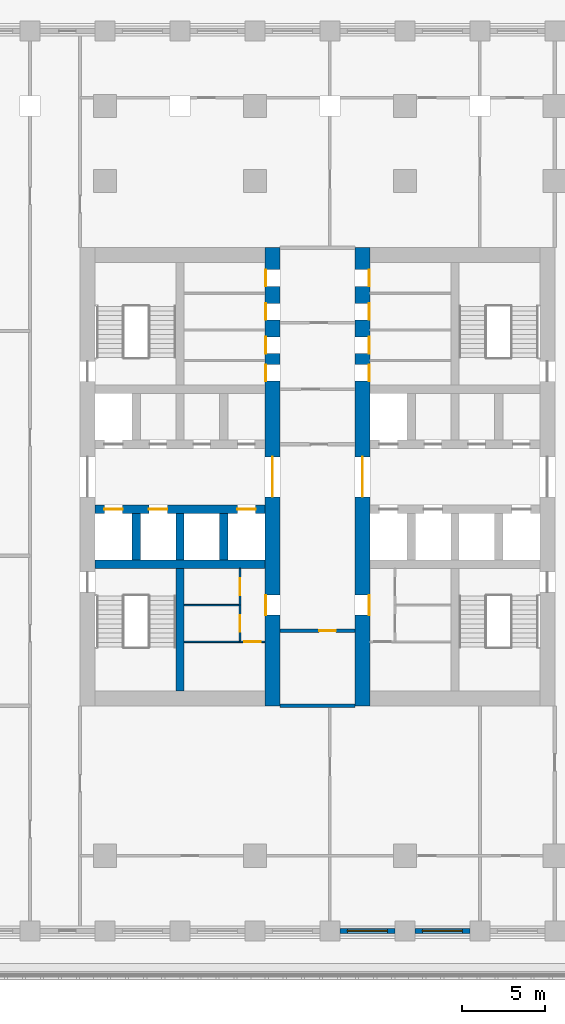
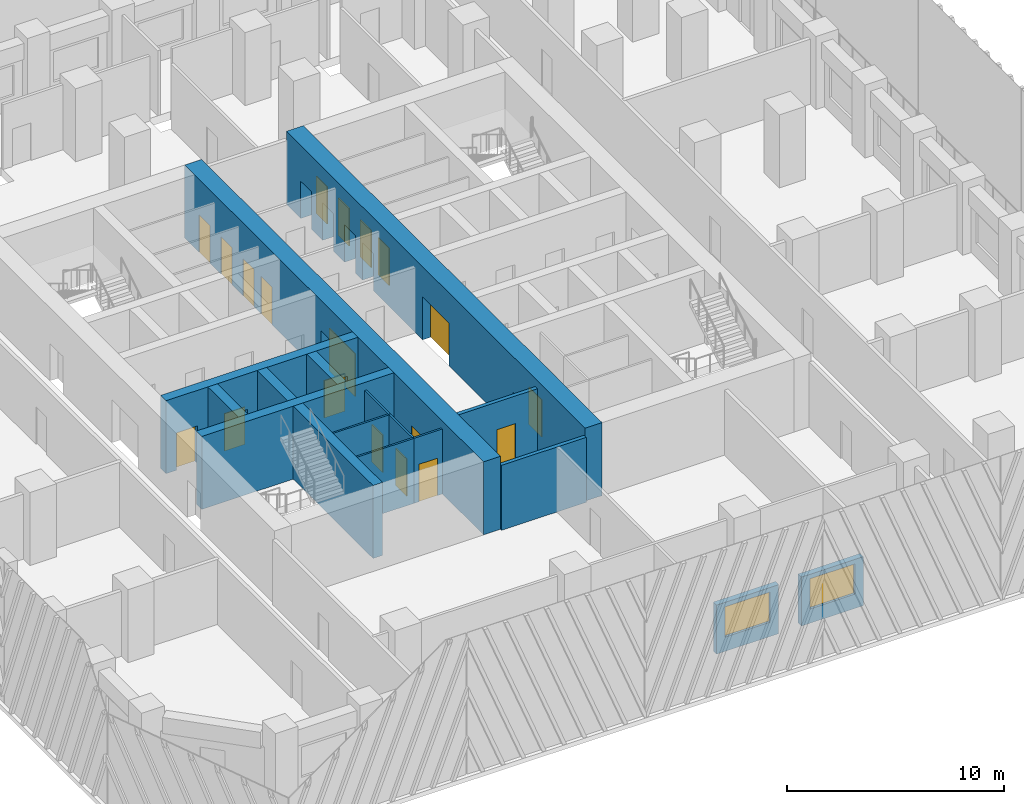
# One storey, part 4 of 19: 19 doors, 17 walls, 2 windows, 21 openings.
"""IFC4 building model written with IfcOpenShell, lengths in metres."""

from ifc_helpers import new_model, si_unit, direction, frame, frame_2d, origin, place, context, subcontext, project, spatial, rectangle, extrude, material, layer, layer_set, type_object, element, fill, save


model = new_model("IFC4")

# Units and contexts
model_context = context("Model", 3, precision=1e-05, world=origin(), true_north=direction((0.0, 1.0)))
body_context = subcontext(model_context, "Body", "Model", "MODEL_VIEW")
ifc_project = project(units=[si_unit("LENGTHUNIT", "METRE"), si_unit("AREAUNIT", "SQUARE_METRE"), si_unit("VOLUMEUNIT", "CUBIC_METRE"), si_unit("PLANEANGLEUNIT", "RADIAN"), si_unit("MASSUNIT", "GRAM", prefix="KILO")], contexts=[model_context])

# Site, building, storey
site_placement = place(None, origin())
site = spatial("IfcSite", under=ifc_project, at=site_placement, CompositionType="ELEMENT")
building_placement = place(site_placement, origin())
building = spatial("IfcBuilding", under=site, at=building_placement, Name="Corbel Stack Research Tower", CompositionType="ELEMENT")
storey_placement = place(building_placement, frame((0.0, 0.0, 82.0)))
storey = spatial("IfcBuildingStorey", under=building, at=storey_placement, Name="L18", CompositionType="ELEMENT", Elevation=82.0)

# Wall
ifc_material_1 = material(Name="Concrete C70/85", Category="concrete")
ifc_layer_1 = layer(ifc_material_1, 0.5)
ifc_layer_set_1 = layer_set([ifc_layer_1], Name="Concrete C70/85")
wall_type_1 = type_object("IfcWallType", Name="CW-500-70", PredefinedType="SHEAR", material=ifc_layer_set_1)
wall_1_placement = place(storey_placement, frame((-9.60009765625, -0.5, 0.0), z_axis=(0.0, 0.0, 1.0), x_axis=(1.0, 0.0, 0.0)))
element("IfcWall", 1, at=wall_1_placement, inside=storey, type_object=wall_type_1, Name="West core wall, south row back L18", PredefinedType="SHEAR", context=body_context, shape_type="SweptSolid", body=[
    extrude(rectangle(XDim=10.2001953125, YDim=0.5, at=frame_2d((5.10009765625, 0.0))), origin(), (0.0, 0.0, 1.0), 4.10009765625),
])

# Wall, openings, doors
wall_2_placement = place(storey_placement, frame((-9.60009765625, 2.800048828125, 0.0), z_axis=(0.0, 0.0, 1.0), x_axis=(1.0, 0.0, 0.0)))
wall_2 = element("IfcWall", 2, at=wall_2_placement, inside=storey, type_object=wall_type_1, Name="West core wall, lobby south L18", PredefinedType="SHEAR", context=body_context, shape_type="SweptSolid", body=[
    extrude(rectangle(XDim=10.2001953125, YDim=0.5, at=frame_2d((5.10009765625, 0.0))), origin(), (0.0, 0.0, 1.0), 4.10009765625),
])
opening_1_placement = place(wall_2_placement, frame((0.5625, 0.0, 0.0)))
opening_1 = element("IfcOpeningElement", 3, at=opening_1_placement, cuts=wall_2, Name="Opening LD-FS1", PredefinedType="OPENING", context=body_context, shape_type="SweptSolid", body=[
    extrude(rectangle(XDim=1.10009765625, YDim=2.10009765625, at=frame_2d((0.550048828125, 1.050048828125))), frame((0.0, 0.260009765625, 0.0), z_axis=(0.0, -1.0, 0.0), x_axis=(1.0, 0.0, 0.0)), (0.0, 0.0, 1.0), 0.52001953125),
])
opening_2_placement = place(wall_2_placement, frame((3.237548828125, 0.0, 0.0)))
opening_2 = element("IfcOpeningElement", 4, at=opening_2_placement, cuts=wall_2, Name="Opening LD-GL1", PredefinedType="OPENING", context=body_context, shape_type="SweptSolid", body=[
    extrude(rectangle(XDim=1.10009765625, YDim=2.10009765625, at=frame_2d((0.550048828125, 1.050048828125))), frame((0.0, 0.260009765625, 0.0), z_axis=(0.0, -1.0, 0.0), x_axis=(1.0, 0.0, 0.0)), (0.0, 0.0, 1.0), 0.52001953125),
])
opening_3_placement = place(wall_2_placement, frame((8.53759765625, 0.0, 0.0)))
opening_3 = element("IfcOpeningElement", 5, at=opening_3_placement, cuts=wall_2, Name="Opening LD-LR1", PredefinedType="OPENING", context=body_context, shape_type="SweptSolid", body=[
    extrude(rectangle(XDim=1.10009765625, YDim=2.10009765625, at=frame_2d((0.550048828125, 1.050048828125))), frame((0.0, 0.260009765625, 0.0), z_axis=(0.0, -1.0, 0.0), x_axis=(1.0, 0.0, 0.0)), (0.0, 0.0, 1.0), 0.52001953125),
])
ifc_material_2 = material(Name="Stainless steel landing door", Category="steel")
door_type_1 = type_object("IfcDoorType", Name="Lift landing door 1100 x 2100", OperationType="DOUBLE_DOOR_SLIDING", PredefinedType="DOOR", material=ifc_material_2)
door_1_placement = place(opening_1_placement, origin())
door_1 = element("IfcDoor", 6, at=door_1_placement, inside=storey, type_object=door_type_1, Name="Landing door FS1", OperationType="DOUBLE_DOOR_SLIDING", OverallHeight=2.10009765625, OverallWidth=1.10009765625, PredefinedType="DOOR", context=body_context, shape_type="SweptSolid", body=[
    extrude(rectangle(XDim=1.10009765625, YDim=2.10009765625, at=frame_2d((0.550048828125, 1.050048828125))), frame((0.0, 0.02490234375, 0.0), z_axis=(0.0, -1.0, 0.0), x_axis=(1.0, 0.0, 0.0)), (0.0, 0.0, 1.0), 0.050048828125),
])
fill(opening_1, door_1)
door_2_placement = place(opening_2_placement, origin())
door_2 = element("IfcDoor", 7, at=door_2_placement, inside=storey, type_object=door_type_1, Name="Landing door GL1", OperationType="DOUBLE_DOOR_SLIDING", OverallHeight=2.10009765625, OverallWidth=1.10009765625, PredefinedType="DOOR", context=body_context, shape_type="SweptSolid", body=[
    extrude(rectangle(XDim=1.10009765625, YDim=2.10009765625, at=frame_2d((0.550048828125, 1.050048828125))), frame((0.0, 0.02490234375, 0.0), z_axis=(0.0, -1.0, 0.0), x_axis=(1.0, 0.0, 0.0)), (0.0, 0.0, 1.0), 0.050048828125),
])
fill(opening_2, door_2)
door_3_placement = place(opening_3_placement, origin())
door_3 = element("IfcDoor", 8, at=door_3_placement, inside=storey, type_object=door_type_1, Name="Landing door LR1", OperationType="DOUBLE_DOOR_SLIDING", OverallHeight=2.10009765625, OverallWidth=1.10009765625, PredefinedType="DOOR", context=body_context, shape_type="SweptSolid", body=[
    extrude(rectangle(XDim=1.10009765625, YDim=2.10009765625, at=frame_2d((0.550048828125, 1.050048828125))), frame((0.0, 0.02490234375, 0.0), z_axis=(0.0, -1.0, 0.0), x_axis=(1.0, 0.0, 0.0)), (0.0, 0.0, 1.0), 0.050048828125),
])
fill(opening_3, door_3)

# Walls
for number, where, z_axis, x_axis, name in (
    (9, (-7.125, -0.25, 0.0), (0.0, 0.0, 1.0), (0.0, 1.0, 0.0), "West core wall, south shaft 1 L18"),
    (10, (-4.5, -0.25, 0.0), (0.0, 0.0, 1.0), (0.0, 1.0, 0.0), "West core wall, south shaft 2 L18"),
    (11, (-1.875, -0.25, 0.0), (0.0, 0.0, 1.0), (0.0, 1.0, 0.0), "West core wall, south shaft 3 L18"),
):
    element("IfcWall", number, at=place(storey_placement, frame(where, z_axis=z_axis, x_axis=x_axis)), inside=storey, type_object=wall_type_1, Name=name, PredefinedType="SHEAR", context=body_context, shape_type="SweptSolid", body=[
        extrude(rectangle(XDim=2.800048828125, YDim=0.5, at=frame_2d((1.39990234375, 0.0))), origin(), (0.0, 0.0, 1.0), 4.10009765625),
    ])
wall_3_placement = place(storey_placement, frame((-4.5, -8.10009765625, 0.0), z_axis=(0.0, 0.0, 1.0), x_axis=(0.0, 1.0, 0.0)))
element("IfcWall", 12, at=wall_3_placement, inside=storey, type_object=wall_type_1, Name="West core wall, south stair and WC L18", PredefinedType="SHEAR", context=body_context, shape_type="SweptSolid", body=[
    extrude(rectangle(XDim=7.35009765625, YDim=0.5, at=frame_2d((3.675048828125, 0.0))), origin(), (0.0, 0.0, 1.0), 4.10009765625),
])

# Wall, openings, doors
ifc_material_3 = material(Name="Concrete C70/85", Category="concrete")
ifc_layer_2 = layer(ifc_material_3, 0.89990234375)
ifc_layer_set_2 = layer_set([ifc_layer_2], Name="Concrete C70/85")
wall_type_2 = type_object("IfcWallType", Name="CW-900-70", PredefinedType="SHEAR", material=ifc_layer_set_2)
wall_4_placement = place(storey_placement, frame((1.050048828125, -9.0, 0.0), z_axis=(0.0, 0.0, 1.0), x_axis=(0.0, 1.0, 0.0)))
wall_4 = element("IfcWall", 13, at=wall_4_placement, inside=storey, type_object=wall_type_2, Name="West core wall, east face L18", PredefinedType="SHEAR", context=body_context, shape_type="SweptSolid", body=[
    extrude(rectangle(XDim=27.5, YDim=0.89990234375, at=frame_2d((13.75, 0.0))), origin(), (0.0, 0.0, 1.0), 4.10009765625),
])
opening_4_placement = place(wall_4_placement, frame((12.550048828125, 0.0, 0.0)))
opening_4 = element("IfcOpeningElement", 14, at=opening_4_placement, cuts=wall_4, Name="Opening CD-W-E", PredefinedType="OPENING", context=body_context, shape_type="SweptSolid", body=[
    extrude(rectangle(XDim=2.39990234375, YDim=2.39990234375, at=frame_2d((1.199951171875, 1.199951171875))), frame((0.0, 0.4599609375, 0.0), z_axis=(0.0, -1.0, 0.0), x_axis=(1.0, 0.0, 0.0)), (0.0, 0.0, 1.0), 0.919921875),
])
opening_5_placement = place(wall_4_placement, frame((5.445068359375, 0.0, 0.0)))
opening_5 = element("IfcOpeningElement", 15, at=opening_5_placement, cuts=wall_4, Name="Opening CR-W66-W1-1200", PredefinedType="OPENING", context=body_context, shape_type="SweptSolid", body=[
    extrude(rectangle(XDim=1.199951171875, YDim=2.10009765625, at=frame_2d((0.60009765625, 1.050048828125))), frame((0.0, 0.4599609375, 0.0), z_axis=(0.0, -1.0, 0.0), x_axis=(1.0, 0.0, 0.0)), (0.0, 0.0, 1.0), 0.919921875),
])
opening_6_placement = place(wall_4_placement, frame((19.485107421875, 0.0, 0.0)))
opening_6 = element("IfcOpeningElement", 16, at=opening_6_placement, cuts=wall_4, Name="Opening CR-W66-R1-1000", PredefinedType="OPENING", context=body_context, shape_type="SweptSolid", body=[
    extrude(rectangle(XDim=1.0, YDim=2.10009765625, at=frame_2d((0.5, 1.050048828125))), frame((0.0, 0.4599609375, 0.0), z_axis=(0.0, -1.0, 0.0), x_axis=(1.0, 0.0, 0.0)), (0.0, 0.0, 1.0), 0.919921875),
])
opening_7_placement = place(wall_4_placement, frame((21.138916015625, 0.0, 0.0)))
opening_7 = element("IfcOpeningElement", 17, at=opening_7_placement, cuts=wall_4, Name="Opening CR-W66-R2-1000", PredefinedType="OPENING", context=body_context, shape_type="SweptSolid", body=[
    extrude(rectangle(XDim=1.0, YDim=2.10009765625, at=frame_2d((0.5, 1.050048828125))), frame((0.0, 0.4599609375, 0.0), z_axis=(0.0, -1.0, 0.0), x_axis=(1.0, 0.0, 0.0)), (0.0, 0.0, 1.0), 0.919921875),
])
opening_8_placement = place(wall_4_placement, frame((23.159912109375, 0.0, 0.0)))
opening_8 = element("IfcOpeningElement", 18, at=opening_8_placement, cuts=wall_4, Name="Opening CR-W66-R3-1000", PredefinedType="OPENING", context=body_context, shape_type="SweptSolid", body=[
    extrude(rectangle(XDim=1.0, YDim=2.10009765625, at=frame_2d((0.5, 1.050048828125))), frame((0.0, 0.4599609375, 0.0), z_axis=(0.0, -1.0, 0.0), x_axis=(1.0, 0.0, 0.0)), (0.0, 0.0, 1.0), 0.919921875),
])
opening_9_placement = place(wall_4_placement, frame((25.18115234375, 0.0, 0.0)))
opening_9 = element("IfcOpeningElement", 19, at=opening_9_placement, cuts=wall_4, Name="Opening CR-W66-R4-1000", PredefinedType="OPENING", context=body_context, shape_type="SweptSolid", body=[
    extrude(rectangle(XDim=1.0, YDim=2.10009765625, at=frame_2d((0.5, 1.050048828125))), frame((0.0, 0.4599609375, 0.0), z_axis=(0.0, -1.0, 0.0), x_axis=(1.0, 0.0, 0.0)), (0.0, 0.0, 1.0), 0.919921875),
])
ifc_material_4 = material(Name="Painted steel fire door", Category="steel")
door_type_2 = type_object("IfcDoorType", Name="Lobby door pair 2400 x 2400 FD30S", OperationType="DOUBLE_DOOR_DOUBLE_SWING", PredefinedType="DOOR", material=ifc_material_4)
door_4_placement = place(opening_4_placement, origin())
door_4 = element("IfcDoor", 20, at=door_4_placement, inside=storey, type_object=door_type_2, Name="Lift lobby door W core E", OperationType="DOUBLE_DOOR_DOUBLE_SWING", OverallHeight=2.39990234375, OverallWidth=2.39990234375, PredefinedType="DOOR", context=body_context, shape_type="SweptSolid", body=[
    extrude(rectangle(XDim=2.39990234375, YDim=2.39990234375, at=frame_2d((1.199951171875, 1.199951171875))), frame((0.0, 0.02490234375, 0.0), z_axis=(0.0, -1.0, 0.0), x_axis=(1.0, 0.0, 0.0)), (0.0, 0.0, 1.0), 0.050048828125),
])
fill(opening_4, door_4)
ifc_material_5 = material(Name="Painted steel door", Category="steel")
door_type_3 = type_object("IfcDoorType", Name="Riser door 1000 x 2100 FD60 left hand", OperationType="SINGLE_SWING_LEFT", PredefinedType="DOOR", material=ifc_material_5)
door_5_placement = place(opening_6_placement, origin())
door_5 = element("IfcDoor", 21, at=door_5_placement, inside=storey, type_object=door_type_3, Name="Electrical riser door W core", OperationType="SINGLE_SWING_LEFT", OverallHeight=2.10009765625, OverallWidth=1.0, PredefinedType="DOOR", context=body_context, shape_type="SweptSolid", body=[
    extrude(rectangle(XDim=1.0, YDim=2.10009765625, at=frame_2d((0.5, 1.050048828125))), frame((0.0, 0.4248046875, 0.0), z_axis=(0.0, -1.0, 0.0), x_axis=(1.0, 0.0, 0.0)), (0.0, 0.0, 1.0), 0.050048828125),
])
fill(opening_6, door_5)
ifc_material_6 = material(Name="Painted steel door", Category="steel")
door_type_4 = type_object("IfcDoorType", Name="Riser door 1000 x 2100 FD60 right hand", OperationType="SINGLE_SWING_RIGHT", PredefinedType="DOOR", material=ifc_material_6)
door_6_placement = place(opening_7_placement, origin())
door_6 = element("IfcDoor", 22, at=door_6_placement, inside=storey, type_object=door_type_4, Name="Telecom room door W core", OperationType="SINGLE_SWING_RIGHT", OverallHeight=2.10009765625, OverallWidth=1.0, PredefinedType="DOOR", context=body_context, shape_type="SweptSolid", body=[
    extrude(rectangle(XDim=1.0, YDim=2.10009765625, at=frame_2d((0.5, 1.050048828125))), frame((0.0, 0.4248046875, 0.0), z_axis=(0.0, -1.0, 0.0), x_axis=(1.0, 0.0, 0.0)), (0.0, 0.0, 1.0), 0.050048828125),
])
fill(opening_7, door_6)
ifc_material_7 = material(Name="Painted steel door", Category="steel")
door_type_5 = type_object("IfcDoorType", Name="Service door 1000 x 2100 FD30 left hand", OperationType="SINGLE_SWING_LEFT", PredefinedType="DOOR", material=ifc_material_7)
door_7_placement = place(opening_8_placement, origin())
door_7 = element("IfcDoor", 23, at=door_7_placement, inside=storey, type_object=door_type_5, Name="Pantry door W core", OperationType="SINGLE_SWING_LEFT", OverallHeight=2.10009765625, OverallWidth=1.0, PredefinedType="DOOR", context=body_context, shape_type="SweptSolid", body=[
    extrude(rectangle(XDim=1.0, YDim=2.10009765625, at=frame_2d((0.5, 1.050048828125))), frame((0.0, 0.4248046875, 0.0), z_axis=(0.0, -1.0, 0.0), x_axis=(1.0, 0.0, 0.0)), (0.0, 0.0, 1.0), 0.050048828125),
])
fill(opening_8, door_7)
ifc_material_8 = material(Name="Painted steel door", Category="steel")
door_type_6 = type_object("IfcDoorType", Name="Service door 1000 x 2100 FD30 right hand", OperationType="SINGLE_SWING_RIGHT", PredefinedType="DOOR", material=ifc_material_8)
door_8_placement = place(opening_9_placement, origin())
door_8 = element("IfcDoor", 24, at=door_8_placement, inside=storey, type_object=door_type_6, Name="Cleaner's store door W core", OperationType="SINGLE_SWING_RIGHT", OverallHeight=2.10009765625, OverallWidth=1.0, PredefinedType="DOOR", context=body_context, shape_type="SweptSolid", body=[
    extrude(rectangle(XDim=1.0, YDim=2.10009765625, at=frame_2d((0.5, 1.050048828125))), frame((0.0, 0.4248046875, 0.0), z_axis=(0.0, -1.0, 0.0), x_axis=(1.0, 0.0, 0.0)), (0.0, 0.0, 1.0), 0.050048828125),
])
fill(opening_9, door_8)
ifc_material_9 = material(Name="Painted timber door", Category="wood")
door_type_7 = type_object("IfcDoorType", Name="WC door 1200 x 2100 left hand", OperationType="SINGLE_SWING_LEFT", PredefinedType="DOOR", material=ifc_material_9)
door_9_placement = place(opening_5_placement, origin())
door_9 = element("IfcDoor", 25, at=door_9_placement, inside=storey, type_object=door_type_7, Name="WC lobby door W core", OperationType="SINGLE_SWING_LEFT", OverallHeight=2.10009765625, OverallWidth=1.199951171875, PredefinedType="DOOR", context=body_context, shape_type="SweptSolid", body=[
    extrude(rectangle(XDim=1.199951171875, YDim=2.10009765625, at=frame_2d((0.60009765625, 1.050048828125))), frame((0.0, 0.4248046875, 0.0), z_axis=(0.0, -1.0, 0.0), x_axis=(1.0, 0.0, 0.0)), (0.0, 0.0, 1.0), 0.050048828125),
])
fill(opening_5, door_9)

wall_5_placement = place(storey_placement, frame((6.449951171875, -9.0, 0.0), z_axis=(0.0, 0.0, 1.0), x_axis=(0.0, 1.0, 0.0)))
wall_5 = element("IfcWall", 26, at=wall_5_placement, inside=storey, type_object=wall_type_2, Name="East core wall, west face L18", PredefinedType="SHEAR", context=body_context, shape_type="SweptSolid", body=[
    extrude(rectangle(XDim=27.5, YDim=0.89990234375, at=frame_2d((13.75, 0.0))), origin(), (0.0, 0.0, 1.0), 4.10009765625),
])
opening_10_placement = place(wall_5_placement, frame((12.550048828125, 0.0, 0.0)))
opening_10 = element("IfcOpeningElement", 27, at=opening_10_placement, cuts=wall_5, Name="Opening CD-E-W", PredefinedType="OPENING", context=body_context, shape_type="SweptSolid", body=[
    extrude(rectangle(XDim=2.39990234375, YDim=2.39990234375, at=frame_2d((1.199951171875, 1.199951171875))), frame((0.0, 0.4599609375, 0.0), z_axis=(0.0, -1.0, 0.0), x_axis=(1.0, 0.0, 0.0)), (0.0, 0.0, 1.0), 0.919921875),
])
opening_11_placement = place(wall_5_placement, frame((5.445068359375, 0.0, 0.0)))
opening_11 = element("IfcOpeningElement", 28, at=opening_11_placement, cuts=wall_5, Name="Opening CR-E66-W1-1200", PredefinedType="OPENING", context=body_context, shape_type="SweptSolid", body=[
    extrude(rectangle(XDim=1.199951171875, YDim=2.10009765625, at=frame_2d((0.60009765625, 1.050048828125))), frame((0.0, 0.4599609375, 0.0), z_axis=(0.0, -1.0, 0.0), x_axis=(1.0, 0.0, 0.0)), (0.0, 0.0, 1.0), 0.919921875),
])
opening_12_placement = place(wall_5_placement, frame((19.485107421875, 0.0, 0.0)))
opening_12 = element("IfcOpeningElement", 29, at=opening_12_placement, cuts=wall_5, Name="Opening CR-E66-R1-1000", PredefinedType="OPENING", context=body_context, shape_type="SweptSolid", body=[
    extrude(rectangle(XDim=1.0, YDim=2.10009765625, at=frame_2d((0.5, 1.050048828125))), frame((0.0, 0.4599609375, 0.0), z_axis=(0.0, -1.0, 0.0), x_axis=(1.0, 0.0, 0.0)), (0.0, 0.0, 1.0), 0.919921875),
])
opening_13_placement = place(wall_5_placement, frame((21.138916015625, 0.0, 0.0)))
opening_13 = element("IfcOpeningElement", 30, at=opening_13_placement, cuts=wall_5, Name="Opening CR-E66-R2-1000", PredefinedType="OPENING", context=body_context, shape_type="SweptSolid", body=[
    extrude(rectangle(XDim=1.0, YDim=2.10009765625, at=frame_2d((0.5, 1.050048828125))), frame((0.0, 0.4599609375, 0.0), z_axis=(0.0, -1.0, 0.0), x_axis=(1.0, 0.0, 0.0)), (0.0, 0.0, 1.0), 0.919921875),
])
opening_14_placement = place(wall_5_placement, frame((23.159912109375, 0.0, 0.0)))
opening_14 = element("IfcOpeningElement", 31, at=opening_14_placement, cuts=wall_5, Name="Opening CR-E66-R3-1000", PredefinedType="OPENING", context=body_context, shape_type="SweptSolid", body=[
    extrude(rectangle(XDim=1.0, YDim=2.10009765625, at=frame_2d((0.5, 1.050048828125))), frame((0.0, 0.4599609375, 0.0), z_axis=(0.0, -1.0, 0.0), x_axis=(1.0, 0.0, 0.0)), (0.0, 0.0, 1.0), 0.919921875),
])
opening_15_placement = place(wall_5_placement, frame((25.18115234375, 0.0, 0.0)))
opening_15 = element("IfcOpeningElement", 32, at=opening_15_placement, cuts=wall_5, Name="Opening CR-E66-R4-1000", PredefinedType="OPENING", context=body_context, shape_type="SweptSolid", body=[
    extrude(rectangle(XDim=1.0, YDim=2.10009765625, at=frame_2d((0.5, 1.050048828125))), frame((0.0, 0.4599609375, 0.0), z_axis=(0.0, -1.0, 0.0), x_axis=(1.0, 0.0, 0.0)), (0.0, 0.0, 1.0), 0.919921875),
])
door_10_placement = place(opening_10_placement, origin())
door_10 = element("IfcDoor", 33, at=door_10_placement, inside=storey, type_object=door_type_2, Name="Lift lobby door E core W", OperationType="DOUBLE_DOOR_DOUBLE_SWING", OverallHeight=2.39990234375, OverallWidth=2.39990234375, PredefinedType="DOOR", context=body_context, shape_type="SweptSolid", body=[
    extrude(rectangle(XDim=2.39990234375, YDim=2.39990234375, at=frame_2d((1.199951171875, 1.199951171875))), frame((0.0, 0.02490234375, 0.0), z_axis=(0.0, -1.0, 0.0), x_axis=(1.0, 0.0, 0.0)), (0.0, 0.0, 1.0), 0.050048828125),
])
fill(opening_10, door_10)
door_11_placement = place(opening_13_placement, origin())
door_11 = element("IfcDoor", 34, at=door_11_placement, inside=storey, type_object=door_type_3, Name="Telecom room door E core", OperationType="SINGLE_SWING_LEFT", OverallHeight=2.10009765625, OverallWidth=1.0, PredefinedType="DOOR", context=body_context, shape_type="SweptSolid", body=[
    extrude(rectangle(XDim=1.0, YDim=2.10009765625, at=frame_2d((0.5, 1.050048828125))), frame((0.0, -0.375, 0.0), z_axis=(0.0, -1.0, 0.0), x_axis=(1.0, 0.0, 0.0)), (0.0, 0.0, 1.0), 0.050048828125),
])
fill(opening_13, door_11)
door_12_placement = place(opening_12_placement, origin())
door_12 = element("IfcDoor", 35, at=door_12_placement, inside=storey, type_object=door_type_4, Name="Electrical riser door E core", OperationType="SINGLE_SWING_RIGHT", OverallHeight=2.10009765625, OverallWidth=1.0, PredefinedType="DOOR", context=body_context, shape_type="SweptSolid", body=[
    extrude(rectangle(XDim=1.0, YDim=2.10009765625, at=frame_2d((0.5, 1.050048828125))), frame((0.0, -0.375, 0.0), z_axis=(0.0, -1.0, 0.0), x_axis=(1.0, 0.0, 0.0)), (0.0, 0.0, 1.0), 0.050048828125),
])
fill(opening_12, door_12)
door_13_placement = place(opening_15_placement, origin())
door_13 = element("IfcDoor", 36, at=door_13_placement, inside=storey, type_object=door_type_5, Name="Cleaner's store door E core", OperationType="SINGLE_SWING_LEFT", OverallHeight=2.10009765625, OverallWidth=1.0, PredefinedType="DOOR", context=body_context, shape_type="SweptSolid", body=[
    extrude(rectangle(XDim=1.0, YDim=2.10009765625, at=frame_2d((0.5, 1.050048828125))), frame((0.0, -0.375, 0.0), z_axis=(0.0, -1.0, 0.0), x_axis=(1.0, 0.0, 0.0)), (0.0, 0.0, 1.0), 0.050048828125),
])
fill(opening_15, door_13)
door_14_placement = place(opening_14_placement, origin())
door_14 = element("IfcDoor", 37, at=door_14_placement, inside=storey, type_object=door_type_6, Name="Pantry door E core", OperationType="SINGLE_SWING_RIGHT", OverallHeight=2.10009765625, OverallWidth=1.0, PredefinedType="DOOR", context=body_context, shape_type="SweptSolid", body=[
    extrude(rectangle(XDim=1.0, YDim=2.10009765625, at=frame_2d((0.5, 1.050048828125))), frame((0.0, -0.375, 0.0), z_axis=(0.0, -1.0, 0.0), x_axis=(1.0, 0.0, 0.0)), (0.0, 0.0, 1.0), 0.050048828125),
])
fill(opening_14, door_14)
ifc_material_10 = material(Name="Painted timber door", Category="wood")
door_type_8 = type_object("IfcDoorType", Name="WC door 1200 x 2100 right hand", OperationType="SINGLE_SWING_RIGHT", PredefinedType="DOOR", material=ifc_material_10)
door_15_placement = place(opening_11_placement, origin())
door_15 = element("IfcDoor", 38, at=door_15_placement, inside=storey, type_object=door_type_8, Name="WC lobby door E core", OperationType="SINGLE_SWING_RIGHT", OverallHeight=2.10009765625, OverallWidth=1.199951171875, PredefinedType="DOOR", context=body_context, shape_type="SweptSolid", body=[
    extrude(rectangle(XDim=1.199951171875, YDim=2.10009765625, at=frame_2d((0.60009765625, 1.050048828125))), frame((0.0, -0.375, 0.0), z_axis=(0.0, -1.0, 0.0), x_axis=(1.0, 0.0, 0.0)), (0.0, 0.0, 1.0), 0.050048828125),
])
fill(opening_11, door_15)

# Wall, opening, door
ifc_material_11 = material(Name="Gypsum board")
ifc_layer_3 = layer(ifc_material_11, 0.10009765625)
ifc_layer_set_3 = layer_set([ifc_layer_3], Name="Gypsum board")
wall_type_3 = type_object("IfcWallType", Name="Core partition 100", PredefinedType="PARTITIONING", material=ifc_layer_set_3)
wall_6_placement = place(storey_placement, frame((-0.89990234375, -5.159912109375, 0.0), z_axis=(0.0, 0.0, 1.0), x_axis=(1.0, 0.0, 0.0)))
wall_6 = element("IfcWall", 39, at=wall_6_placement, inside=storey, type_object=wall_type_3, Name="Core partition W", PredefinedType="PARTITIONING", context=body_context, shape_type="SweptSolid", body=[
    extrude(rectangle(XDim=1.5, YDim=0.10009765625, at=frame_2d((0.75, 0.0))), origin(), (0.0, 0.0, 1.0), 3.64990234375),
])
opening_16_placement = place(wall_6_placement, frame((0.25, 0.0, 0.0)))
opening_16 = element("IfcOpeningElement", 40, at=opening_16_placement, cuts=wall_6, Name="Opening CR-W66-W2-1000", PredefinedType="OPENING", context=body_context, shape_type="SweptSolid", body=[
    extrude(rectangle(XDim=1.0, YDim=2.10009765625, at=frame_2d((0.5, 1.050048828125))), frame((0.0, 0.06005859375, 0.0), z_axis=(0.0, -1.0, 0.0), x_axis=(1.0, 0.0, 0.0)), (0.0, 0.0, 1.0), 0.1201171875),
])
ifc_material_12 = material(Name="Painted timber door", Category="wood")
door_type_9 = type_object("IfcDoorType", Name="WC door 1000 x 2100 right hand", OperationType="SINGLE_SWING_RIGHT", PredefinedType="DOOR", material=ifc_material_12)
door_16_placement = place(opening_16_placement, origin())
door_16 = element("IfcDoor", 41, at=door_16_placement, inside=storey, type_object=door_type_9, Name="Accessible WC door W core", OperationType="SINGLE_SWING_RIGHT", OverallHeight=2.10009765625, OverallWidth=1.0, PredefinedType="DOOR", context=body_context, shape_type="SweptSolid", body=[
    extrude(rectangle(XDim=1.0, YDim=2.10009765625, at=frame_2d((0.5, 1.050048828125))), frame((0.0, 0.02490234375, 0.0), z_axis=(0.0, -1.0, 0.0), x_axis=(1.0, 0.0, 0.0)), (0.0, 0.0, 1.0), 0.050048828125),
])
fill(opening_16, door_16)

wall_7_placement = place(storey_placement, frame((-0.89990234375, -5.159912109375, 0.0), z_axis=(0.0, 0.0, 1.0), x_axis=(0.0, 1.0, 0.0)))
wall_7 = element("IfcWall", 42, at=wall_7_placement, inside=storey, type_object=wall_type_3, Name="Core partition W", PredefinedType="PARTITIONING", context=body_context, shape_type="SweptSolid", body=[
    extrude(rectangle(XDim=2.204833984375, YDim=0.10009765625, at=frame_2d((1.1025390625, 0.0))), origin(), (0.0, 0.0, 1.0), 3.64990234375),
])
opening_17_placement = place(wall_7_placement, frame((0.6025390625, 0.0, 0.0)))
opening_17 = element("IfcOpeningElement", 43, at=opening_17_placement, cuts=wall_7, Name="Opening CR-W66-W3-1000", PredefinedType="OPENING", context=body_context, shape_type="SweptSolid", body=[
    extrude(rectangle(XDim=1.0, YDim=2.10009765625, at=frame_2d((0.5, 1.050048828125))), frame((0.0, 0.06005859375, 0.0), z_axis=(0.0, -1.0, 0.0), x_axis=(1.0, 0.0, 0.0)), (0.0, 0.0, 1.0), 0.1201171875),
])
ifc_material_13 = material(Name="Painted timber door", Category="wood")
door_type_10 = type_object("IfcDoorType", Name="WC door 1000 x 2100 left hand", OperationType="SINGLE_SWING_LEFT", PredefinedType="DOOR", material=ifc_material_13)
door_17_placement = place(opening_17_placement, origin())
door_17 = element("IfcDoor", 44, at=door_17_placement, inside=storey, type_object=door_type_10, Name="Men's WC door W core", OperationType="SINGLE_SWING_LEFT", OverallHeight=2.10009765625, OverallWidth=1.0, PredefinedType="DOOR", context=body_context, shape_type="SweptSolid", body=[
    extrude(rectangle(XDim=1.0, YDim=2.10009765625, at=frame_2d((0.5, 1.050048828125))), frame((0.0, 0.02490234375, 0.0), z_axis=(0.0, -1.0, 0.0), x_axis=(1.0, 0.0, 0.0)), (0.0, 0.0, 1.0), 0.050048828125),
])
fill(opening_17, door_17)

wall_8_placement = place(storey_placement, frame((-0.89990234375, -2.955078125, 0.0), z_axis=(0.0, 0.0, 1.0), x_axis=(0.0, 1.0, 0.0)))
wall_8 = element("IfcWall", 45, at=wall_8_placement, inside=storey, type_object=wall_type_3, Name="Core partition W", PredefinedType="PARTITIONING", context=body_context, shape_type="SweptSolid", body=[
    extrude(rectangle(XDim=2.205078125, YDim=0.10009765625, at=frame_2d((1.1025390625, 0.0))), origin(), (0.0, 0.0, 1.0), 3.64990234375),
])
opening_18_placement = place(wall_8_placement, frame((0.6025390625, 0.0, 0.0)))
opening_18 = element("IfcOpeningElement", 46, at=opening_18_placement, cuts=wall_8, Name="Opening CR-W66-W4-1000", PredefinedType="OPENING", context=body_context, shape_type="SweptSolid", body=[
    extrude(rectangle(XDim=1.0, YDim=2.10009765625, at=frame_2d((0.5, 1.050048828125))), frame((0.0, 0.06005859375, 0.0), z_axis=(0.0, -1.0, 0.0), x_axis=(1.0, 0.0, 0.0)), (0.0, 0.0, 1.0), 0.1201171875),
])
door_18_placement = place(opening_18_placement, origin())
door_18 = element("IfcDoor", 47, at=door_18_placement, inside=storey, type_object=door_type_9, Name="Women's WC door W core", OperationType="SINGLE_SWING_RIGHT", OverallHeight=2.10009765625, OverallWidth=1.0, PredefinedType="DOOR", context=body_context, shape_type="SweptSolid", body=[
    extrude(rectangle(XDim=1.0, YDim=2.10009765625, at=frame_2d((0.5, 1.050048828125))), frame((0.0, 0.02490234375, 0.0), z_axis=(0.0, -1.0, 0.0), x_axis=(1.0, 0.0, 0.0)), (0.0, 0.0, 1.0), 0.050048828125),
])
fill(opening_18, door_18)

# Walls
for number, where, z_axis, x_axis, name in (
    (48, (-4.25, -5.159912109375, 0.0), (0.0, 0.0, 1.0), (1.0, 0.0, 0.0), "Core partition W"),
    (49, (-4.25, -2.955078125, 0.0), (0.0, 0.0, 1.0), (1.0, 0.0, 0.0), "Core partition W"),
):
    element("IfcWall", number, at=place(storey_placement, frame(where, z_axis=z_axis, x_axis=x_axis)), inside=storey, type_object=wall_type_3, Name=name, PredefinedType="PARTITIONING", context=body_context, shape_type="SweptSolid", body=[
        extrude(rectangle(XDim=3.35009765625, YDim=0.10009765625, at=frame_2d((1.675048828125, 0.0))), origin(), (0.0, 0.0, 1.0), 3.64990234375),
    ])
ifc_material_14 = material(Name="Fire-rated gypsum board partition on steel studs", Category="steel")
ifc_layer_4 = layer(ifc_material_14, 0.199951171875)
ifc_layer_set_4 = layer_set([ifc_layer_4], Name="Fire-rated gypsum board partition on steel studs")
wall_type_4 = type_object("IfcWallType", Name="Fire-rated partition 200 EI 60", PredefinedType="PARTITIONING", material=ifc_layer_set_4)
wall_9_placement = place(storey_placement, frame((1.5, -9.0, 0.0), z_axis=(0.0, 0.0, 1.0), x_axis=(1.0, 0.0, 0.0)))
element("IfcWall", 50, at=wall_9_placement, inside=storey, type_object=wall_type_4, Name="Partition L18-023", PredefinedType="PARTITIONING", context=body_context, shape_type="SweptSolid", body=[
    extrude(rectangle(XDim=4.5, YDim=0.199951171875, at=frame_2d((2.25, 0.0))), origin(), (0.0, 0.0, 1.0), 3.64990234375),
])

# Wall, opening, door
wall_10_placement = place(storey_placement, frame((6.0, -4.5, 0.0), z_axis=(0.0, 0.0, 1.0), x_axis=(-1.0, 0.0, 0.0)))
wall_10 = element("IfcWall", 51, at=wall_10_placement, inside=storey, type_object=wall_type_4, Name="Partition L18-027", PredefinedType="PARTITIONING", context=body_context, shape_type="SweptSolid", body=[
    extrude(rectangle(XDim=4.5, YDim=0.199951171875, at=frame_2d((2.25, 0.0))), origin(), (0.0, 0.0, 1.0), 3.64990234375),
])
opening_19_placement = place(wall_10_placement, frame((1.14990234375, 0.0, 0.0)))
opening_19 = element("IfcOpeningElement", 52, at=opening_19_placement, cuts=wall_10, Name="Opening B3V0H-010", PredefinedType="OPENING", context=body_context, shape_type="SweptSolid", body=[
    extrude(rectangle(XDim=1.0, YDim=2.10009765625, at=frame_2d((0.5, 1.050048828125))), frame((0.0, 0.10986328125, 0.0), z_axis=(0.0, -1.0, 0.0), x_axis=(1.0, 0.0, 0.0)), (0.0, 0.0, 1.0), 0.219970703125),
])
ifc_material_15 = material(Name="Painted steel fire door", Category="steel")
door_type_11 = type_object("IfcDoorType", Name="Fire door FD30S 1000 x 2100", OperationType="NOTDEFINED", PredefinedType="DOOR", material=ifc_material_15)
door_19_placement = place(opening_19_placement, origin())
door_19 = element("IfcDoor", 53, at=door_19_placement, inside=storey, type_object=door_type_11, Name="Door B3V0H-010", OperationType="SINGLE_SWING_LEFT", OverallHeight=2.10009765625, OverallWidth=1.0, PredefinedType="DOOR", context=body_context, shape_type="SweptSolid", body=[
    extrude(rectangle(XDim=1.0, YDim=2.10009765625, at=frame_2d((0.5, 1.050048828125))), frame((0.0, 0.02490234375, 0.0), z_axis=(0.0, -1.0, 0.0), x_axis=(1.0, 0.0, 0.0)), (0.0, 0.0, 1.0), 0.050048828125),
])
fill(opening_19, door_19)

# Wall, opening, window
ifc_material_16 = material(Name="Concrete C45/55", Category="concrete")
ifc_layer_5 = layer(ifc_material_16, 0.300048828125)
ifc_layer_set_5 = layer_set([ifc_layer_5], Name="Concrete C45/55")
wall_type_5 = type_object("IfcWallType", Name="Terracotta-faced concrete wall 300", PredefinedType="SOLIDWALL", material=ifc_layer_set_5)
wall_11_placement = place(storey_placement, frame((8.39990234375, -22.5, 0.0), z_axis=(0.0, 0.0, 1.0), x_axis=(-1.0, 0.0, 0.0)))
wall_11 = element("IfcWall", 54, at=wall_11_placement, inside=storey, type_object=wall_type_5, Name="Facade wall L18 S06", PredefinedType="SOLIDWALL", context=body_context, shape_type="SweptSolid", body=[
    extrude(rectangle(XDim=3.2998046875, YDim=0.300048828125, at=frame_2d((1.64990234375, 0.0))), origin(), (0.0, 0.0, 1.0), 2.75),
])
opening_20_placement = place(wall_11_placement, frame((0.449951171875, 0.0, 0.800048828125)))
opening_20 = element("IfcOpeningElement", 55, at=opening_20_placement, cuts=wall_11, Name="Opening W1", PredefinedType="OPENING", context=body_context, shape_type="SweptSolid", body=[
    extrude(rectangle(XDim=2.39990234375, YDim=1.699951171875, at=frame_2d((1.199951171875, 0.85009765625))), frame((0.0, 0.159912109375, 0.0), z_axis=(0.0, -1.0, 0.0), x_axis=(1.0, 0.0, 0.0)), (0.0, 0.0, 1.0), 0.320068359375),
])
ifc_material_17 = material(Name="Aluminium frame, clear double glazing", Category="aluminium")
window_type = type_object("IfcWindowType", Name="Window W1 2400 x 1700", PartitioningType="SINGLE_PANEL", PredefinedType="WINDOW", material=ifc_material_17)
window_1_placement = place(opening_20_placement, origin())
window_1 = element("IfcWindow", 56, at=window_1_placement, inside=storey, type_object=window_type, Name="Window W1 L18 S06", OverallHeight=1.699951171875, OverallWidth=2.39990234375, PartitioningType="SINGLE_PANEL", PredefinedType="WINDOW", context=body_context, shape_type="SweptSolid", body=[
    extrude(rectangle(XDim=2.39990234375, YDim=1.699951171875, at=frame_2d((1.199951171875, 0.85009765625))), frame((0.0, 0.030029296875, 0.0), z_axis=(0.0, -1.0, 0.0), x_axis=(1.0, 0.0, 0.0)), (0.0, 0.0, 1.0), 0.06005859375),
])
fill(opening_20, window_1)

wall_12_placement = place(storey_placement, frame((12.89990234375, -22.5, 0.0), z_axis=(0.0, 0.0, 1.0), x_axis=(-1.0, 0.0, 0.0)))
wall_12 = element("IfcWall", 57, at=wall_12_placement, inside=storey, type_object=wall_type_5, Name="Facade wall L18 S07", PredefinedType="SOLIDWALL", context=body_context, shape_type="SweptSolid", body=[
    extrude(rectangle(XDim=3.2998046875, YDim=0.300048828125, at=frame_2d((1.64990234375, 0.0))), origin(), (0.0, 0.0, 1.0), 2.75),
])
opening_21_placement = place(wall_12_placement, frame((0.449951171875, 0.0, 0.800048828125)))
opening_21 = element("IfcOpeningElement", 58, at=opening_21_placement, cuts=wall_12, Name="Opening W1", PredefinedType="OPENING", context=body_context, shape_type="SweptSolid", body=[
    extrude(rectangle(XDim=2.39990234375, YDim=1.699951171875, at=frame_2d((1.199951171875, 0.85009765625))), frame((0.0, 0.159912109375, 0.0), z_axis=(0.0, -1.0, 0.0), x_axis=(1.0, 0.0, 0.0)), (0.0, 0.0, 1.0), 0.320068359375),
])
window_2_placement = place(opening_21_placement, origin())
window_2 = element("IfcWindow", 59, at=window_2_placement, inside=storey, type_object=window_type, Name="Window W1 L18 S07", OverallHeight=1.699951171875, OverallWidth=2.39990234375, PartitioningType="SINGLE_PANEL", PredefinedType="WINDOW", context=body_context, shape_type="SweptSolid", body=[
    extrude(rectangle(XDim=2.39990234375, YDim=1.699951171875, at=frame_2d((1.199951171875, 0.85009765625))), frame((0.0, 0.030029296875, 0.0), z_axis=(0.0, -1.0, 0.0), x_axis=(1.0, 0.0, 0.0)), (0.0, 0.0, 1.0), 0.06005859375),
])
fill(opening_21, window_2)

save(model, "model.ifc")
